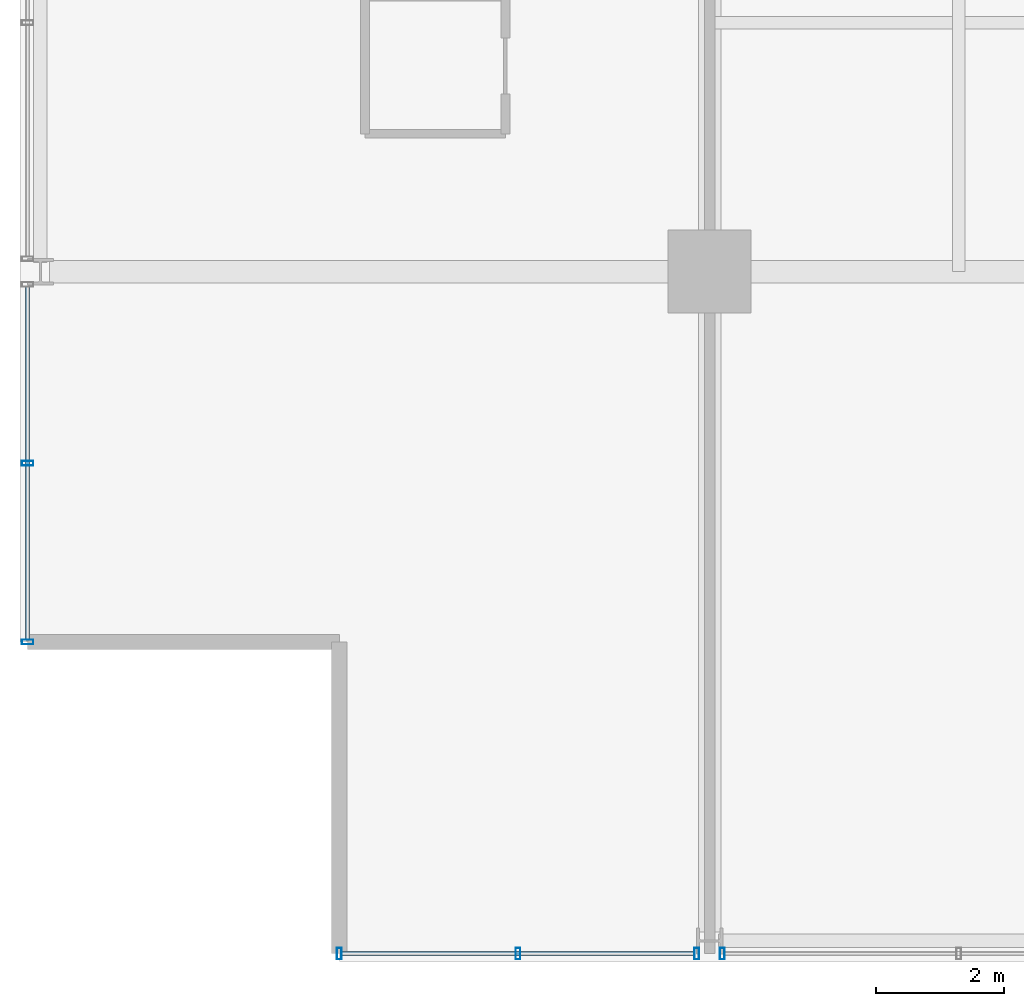
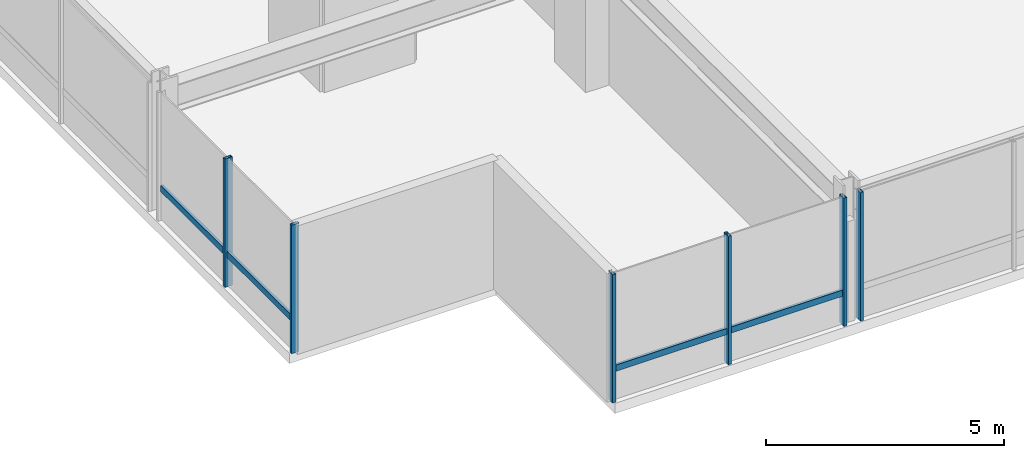
# One storey, part 2 of 33: 8 members, 3 elements without a shape of their own.
"""IFC4 building model written with IfcOpenShell, lengths in metres."""

from ifc_helpers import new_model, si_unit, direction, frame, origin, origin_2d, place, context, subcontext, project, spatial, hollow_rectangle, extrude, material, layer, layer_set, material_profile, profile_set, type_object, element, aggregate, save


model = new_model("IFC4")

# Units and contexts
model_context = context("Model", 3, precision=1e-05, world=origin(), true_north=direction((0.0, 1.0)))
body_context = subcontext(model_context, "Body", "Model", "MODEL_VIEW")
ifc_project = project(units=[si_unit("LENGTHUNIT", "METRE"), si_unit("AREAUNIT", "SQUARE_METRE"), si_unit("VOLUMEUNIT", "CUBIC_METRE"), si_unit("PLANEANGLEUNIT", "RADIAN"), si_unit("MASSUNIT", "GRAM", prefix="KILO")], contexts=[model_context])

# Site, building, storey
site_placement = place(None, origin())
site = spatial("IfcSite", under=ifc_project, at=site_placement, CompositionType="ELEMENT")
building_placement = place(site_placement, origin())
building = spatial("IfcBuilding", under=site, at=building_placement, Name="Drelvath Grand Hotel", CompositionType="ELEMENT")
storey_placement = place(building_placement, frame((0.0, 0.0, 161.050048828125)))
storey = spatial("IfcBuildingStorey", under=building, at=storey_placement, Name="L41", CompositionType="ELEMENT", Elevation=161.050048828125)

# Curtain wall, member
ifc_material = material(Name="Brushed Pale-Silver Anodised Aluminium Frame", Category="aluminium")
ifc_layer = layer(ifc_material, 0.199951171875)
ifc_layer_set = layer_set([ifc_layer], Name="Brushed Pale-Silver Anodised Aluminium Frame")
curtain_wall_type = type_object("IfcCurtainWallType", Name="Stick Curtain Wall CW-04 Brushed Silver Upper-Mid", PredefinedType="NOTDEFINED", material=ifc_layer_set)
curtain_wall_1_placement = place(storey_placement, origin())
curtain_wall_1 = element("IfcCurtainWall", 1, at=curtain_wall_1_placement, inside=storey, type_object=curtain_wall_type, Name="L41 CW-04 Curtain Wall CW04-L41-WS1", PredefinedType="NOTDEFINED")
ifc_material_profile_1 = material_profile(ifc_material, hollow_rectangle(XDim=0.06494140625, YDim=0.159912109375, WallThickness=0.00390625, at=origin_2d()), Name="HSS160X65X4")
ifc_profile_set_1 = profile_set([ifc_material_profile_1], Name="Brushed Pale-Silver Anodised Aluminium Frame")
member_type_1 = type_object("IfcMemberType", Name="Curtain Wall Horizontal Transom CW-04 HSS160X65X4", PredefinedType="USERDEFINED", material=ifc_profile_set_1)
member_1_placement = place(storey_placement, frame((-26.8798828125, 5.0400390625, 0.822509765625), z_axis=(0.0, 1.0, 0.0), x_axis=(-1.0, 0.0, 0.0)))
member_1 = element("IfcMember", 2, at=member_1_placement, type_object=member_type_1, Name="CW04-L41-WS1 Sill Transom", ObjectType="TRANSOM", PredefinedType="USERDEFINED", context=body_context, shape_type="SweptSolid", body=[
    extrude(hollow_rectangle(XDim=0.06494140625, YDim=0.159912109375, WallThickness=0.00390625, at=origin_2d()), origin(), (0.0, 0.0, 1.0), 5.519775390625),
])

curtain_wall_2_placement = place(storey_placement, origin())
curtain_wall_2 = element("IfcCurtainWall", 3, at=curtain_wall_2_placement, inside=storey, type_object=curtain_wall_type, Name="L41 CW-04 Curtain Wall CW04-L41-SW1", PredefinedType="NOTDEFINED")
member_2_placement = place(storey_placement, frame((-16.440185546875, 0.1201171875, 0.822509765625), z_axis=(-1.0, 0.0, 0.0), x_axis=(0.0, -1.0, 0.0)))
member_2 = element("IfcMember", 4, at=member_2_placement, type_object=member_type_1, Name="CW04-L41-SW1 Sill Transom", ObjectType="TRANSOM", PredefinedType="USERDEFINED", context=body_context, shape_type="SweptSolid", body=[
    extrude(hollow_rectangle(XDim=0.06494140625, YDim=0.159912109375, WallThickness=0.00390625, at=origin_2d()), origin(), (0.0, 0.0, 1.0), 5.519775390625),
])

# Member
ifc_material_profile_2 = material_profile(ifc_material, hollow_rectangle(XDim=0.074951171875, YDim=0.179931640625, WallThickness=0.0048828125, at=origin_2d()), Name="HSS180X75X5")
ifc_profile_set_2 = profile_set([ifc_material_profile_2], Name="Brushed Pale-Silver Anodised Aluminium Frame")
member_type_2 = type_object("IfcMemberType", Name="Curtain Wall Vertical Mullion CW-04 HSS180X75X5", PredefinedType="MULLION", material=ifc_profile_set_2)
member_3_placement = place(storey_placement, frame((-26.8798828125, 5.0, 0.0), z_axis=(0.0, 0.0, 1.0), x_axis=(0.0, 1.0, 0.0)))
member_3 = element("IfcMember", 5, at=member_3_placement, type_object=member_type_2, Name="CW04-L41-WS1 Mullion 1", PredefinedType="MULLION", context=body_context, shape_type="SweptSolid", body=[
    extrude(hollow_rectangle(XDim=0.074951171875, YDim=0.179931640625, WallThickness=0.0048828125, at=origin_2d()), origin(), (0.0, 0.0, 1.0), 3.2900390625),
])

member_4_placement = place(storey_placement, frame((-26.8798828125, 7.7998046875, 0.0), z_axis=(0.0, 0.0, 1.0), x_axis=(0.0, 1.0, 0.0)))
member_4 = element("IfcMember", 6, at=member_4_placement, type_object=member_type_2, Name="CW04-L41-WS1 Mullion 2", PredefinedType="MULLION", context=body_context, shape_type="SweptSolid", body=[
    extrude(hollow_rectangle(XDim=0.074951171875, YDim=0.179931640625, WallThickness=0.0048828125, at=origin_2d()), origin(), (0.0, 0.0, 1.0), 3.2900390625),
])

aggregate(curtain_wall_1, [member_3, member_4, member_1])

member_5_placement = place(storey_placement, frame((-16.400146484375, 0.1201171875, 0.0), z_axis=(0.0, 0.0, 1.0), x_axis=(1.0, 0.0, 0.0)))
member_5 = element("IfcMember", 7, at=member_5_placement, type_object=member_type_2, Name="CW04-L41-SW1 Mullion 1", PredefinedType="MULLION", context=body_context, shape_type="SweptSolid", body=[
    extrude(hollow_rectangle(XDim=0.074951171875, YDim=0.179931640625, WallThickness=0.0048828125, at=origin_2d()), origin(), (0.0, 0.0, 1.0), 3.2900390625),
])

member_6_placement = place(storey_placement, frame((-19.199951171875, 0.1201171875, 0.0), z_axis=(0.0, 0.0, 1.0), x_axis=(1.0, 0.0, 0.0)))
member_6 = element("IfcMember", 8, at=member_6_placement, type_object=member_type_2, Name="CW04-L41-SW1 Mullion 2", PredefinedType="MULLION", context=body_context, shape_type="SweptSolid", body=[
    extrude(hollow_rectangle(XDim=0.074951171875, YDim=0.179931640625, WallThickness=0.0048828125, at=origin_2d()), origin(), (0.0, 0.0, 1.0), 3.2900390625),
])

member_7_placement = place(storey_placement, frame((-22.0, 0.1201171875, 0.0), z_axis=(0.0, 0.0, 1.0), x_axis=(1.0, 0.0, 0.0)))
member_7 = element("IfcMember", 9, at=member_7_placement, type_object=member_type_2, Name="CW04-L41-SW1 Mullion 3", PredefinedType="MULLION", context=body_context, shape_type="SweptSolid", body=[
    extrude(hollow_rectangle(XDim=0.074951171875, YDim=0.179931640625, WallThickness=0.0048828125, at=origin_2d()), origin(), (0.0, 0.0, 1.0), 3.2900390625),
])

aggregate(curtain_wall_2, [member_5, member_6, member_7, member_2])

# Curtain wall, member
curtain_wall_3_placement = place(storey_placement, origin())
curtain_wall_3 = element("IfcCurtainWall", 10, at=curtain_wall_3_placement, inside=storey, type_object=curtain_wall_type, Name="L41 CW-04 Curtain Wall CW04-L41-SW2", PredefinedType="NOTDEFINED")
member_8_placement = place(storey_placement, frame((-16.0, 0.1201171875, 0.0), z_axis=(0.0, 0.0, 1.0), x_axis=(1.0, 0.0, 0.0)))
member_8 = element("IfcMember", 11, at=member_8_placement, type_object=member_type_2, Name="CW04-L41-SW2 Mullion 3", PredefinedType="MULLION", context=body_context, shape_type="SweptSolid", body=[
    extrude(hollow_rectangle(XDim=0.074951171875, YDim=0.179931640625, WallThickness=0.0048828125, at=origin_2d()), origin(), (0.0, 0.0, 1.0), 3.2900390625),
])
aggregate(curtain_wall_3, [member_8])

save(model, "model.ifc")
